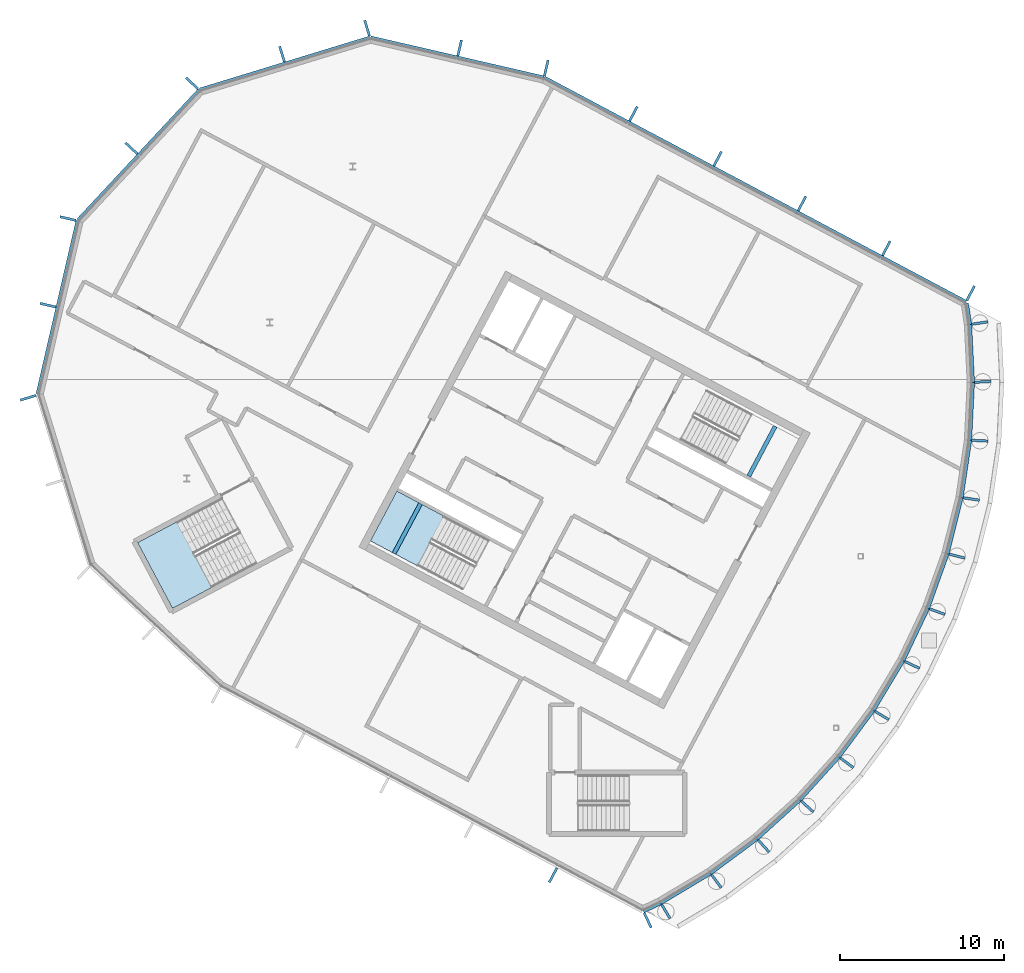
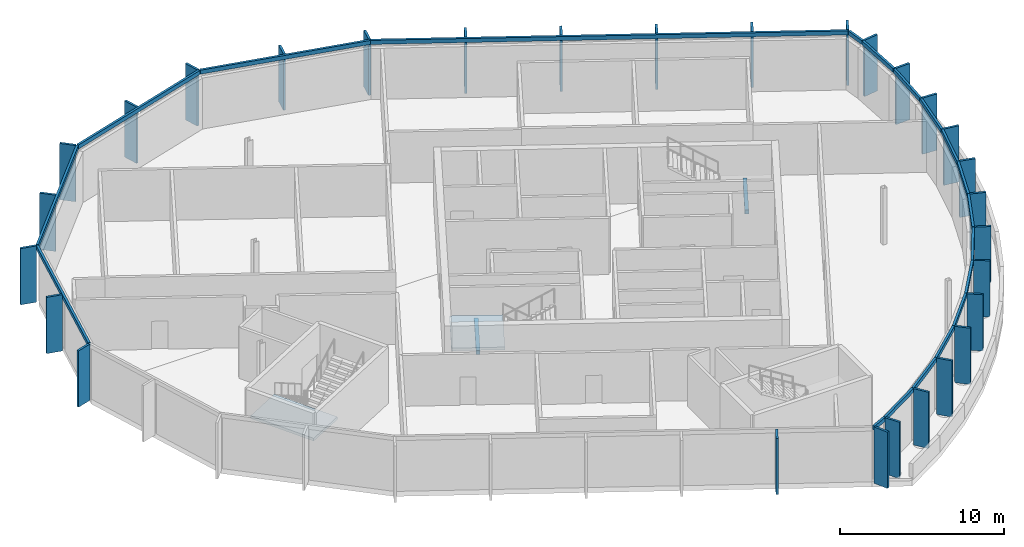
# One storey, part 4 of 12: 48 members, 2 beams, 2 slabs, 23 elements without a shape of their own.
"""IFC4 building model written with IfcOpenShell, lengths in metres."""

from ifc_helpers import new_model, si_unit, direction, frame, origin, origin_2d, place, context, subcontext, project, spatial, polyline, rectangle, outline, extrude, material, layer, layer_set, material_profile, profile_set, type_object, element, aggregate, save


model = new_model("IFC4")

# Units and contexts
model_context = context("Model", 3, precision=1e-05, world=origin(), true_north=direction((0.0, 1.0)))
body_context = subcontext(model_context, "Body", "Model", "MODEL_VIEW")
ifc_project = project(units=[si_unit("LENGTHUNIT", "METRE"), si_unit("AREAUNIT", "SQUARE_METRE"), si_unit("VOLUMEUNIT", "CUBIC_METRE"), si_unit("PLANEANGLEUNIT", "RADIAN"), si_unit("MASSUNIT", "GRAM", prefix="KILO")], contexts=[model_context])

# Site, building, storey
site_placement = place(None, origin())
site = spatial("IfcSite", under=ifc_project, at=site_placement, CompositionType="ELEMENT")
building_placement = place(site_placement, origin())
building = spatial("IfcBuilding", under=site, at=building_placement, Name="Cormorant Relay Tower", CompositionType="ELEMENT")
storey_placement = place(building_placement, frame((0.0, 0.0, 349.199951171875)))
storey = spatial("IfcBuildingStorey", under=building, at=storey_placement, Name="C6", CompositionType="ELEMENT", Elevation=349.199951171875)

# Curtain wall, member
ifc_material_1 = material(Name="Aluminium 6063-T6 anodised bronze", Category="aluminium")
ifc_layer_1 = layer(ifc_material_1, 0.199951171875)
ifc_layer_set_1 = layer_set([ifc_layer_1], Name="CW3 crown screen wall")
curtain_wall_type = type_object("IfcCurtainWallType", Name="CW3 crown screen wall", PredefinedType="NOTDEFINED", material=ifc_layer_set_1)
curtain_wall_1_placement = place(storey_placement, origin())
curtain_wall_1 = element("IfcCurtainWall", 1, at=curtain_wall_1_placement, inside=storey, type_object=curtain_wall_type, Name="CW3 curtain wall 1", PredefinedType="NOTDEFINED")
ifc_material_2 = material(Name="Aluminium 6063-T6 anodised bronze", Category="aluminium")
ifc_material_profile_1 = material_profile(ifc_material_2, rectangle(XDim=0.14990234375, YDim=1.0, at=origin_2d()), Name="AL 150x1000")
ifc_profile_set_1 = profile_set([ifc_material_profile_1], Name="Aluminium 6063-T6 anodised bronze")
member_type_1 = type_object("IfcMemberType", Name="CW3 bronze fin mullion 150 x 1000", PredefinedType="MULLION", material=ifc_profile_set_1)
member_1_placement = place(storey_placement, frame((-29.29931640625, -8.998046875, 0.0), z_axis=(0.0, 0.0, 1.0), x_axis=(0.882947592859, -0.469471562786, 0.0)))
member_1 = element("IfcMember", 2, at=member_1_placement, type_object=member_type_1, Name="CW3 fin 1.5", PredefinedType="MULLION", context=body_context, shape_type="SweptSolid", body=[
    extrude(rectangle(XDim=0.14990234375, YDim=1.0, at=origin_2d()), origin(), (0.0, 0.0, 1.0), 4.199951171875),
])
aggregate(curtain_wall_1, [member_1])

curtain_wall_2_placement = place(storey_placement, origin())
curtain_wall_2 = element("IfcCurtainWall", 3, at=curtain_wall_2_placement, inside=storey, type_object=curtain_wall_type, Name="CW3 curtain wall 2", PredefinedType="NOTDEFINED")
member_2_placement = place(storey_placement, frame((-23.51611328125, -11.75390625, 0.0), z_axis=(0.0, 0.0, 1.0), x_axis=(0.903989293123, 0.42755509343, 0.0)))
member_2 = element("IfcMember", 4, at=member_2_placement, type_object=member_type_1, Name="CW3 fin 2.1", PredefinedType="MULLION", context=body_context, shape_type="SweptSolid", body=[
    extrude(rectangle(XDim=0.14990234375, YDim=1.0, at=origin_2d()), origin(), (0.0, 0.0, 1.0), 4.199951171875),
])

curtain_wall_3_placement = place(storey_placement, origin())
curtain_wall_3 = element("IfcCurtainWall", 5, at=curtain_wall_3_placement, inside=storey, type_object=curtain_wall_type, Name="CW3 curtain wall 3", PredefinedType="NOTDEFINED")
member_3_placement = place(storey_placement, frame((-22.402587890625, -11.223388671875, 0.0), z_axis=(0.0, 0.0, 1.0), x_axis=(0.85772861, 0.514102744193, 0.0)))
member_3 = element("IfcMember", 6, at=member_3_placement, type_object=member_type_1, Name="CW3 fin 3.1", PredefinedType="MULLION", context=body_context, shape_type="SweptSolid", body=[
    extrude(rectangle(XDim=0.14990234375, YDim=1.0, at=origin_2d()), origin(), (0.0, 0.0, 1.0), 4.199951171875),
])

curtain_wall_4_placement = place(storey_placement, origin())
curtain_wall_4 = element("IfcCurtainWall", 7, at=curtain_wall_4_placement, inside=storey, type_object=curtain_wall_type, Name="CW3 curtain wall 4", PredefinedType="NOTDEFINED")
member_4_placement = place(storey_placement, frame((-19.315185546875, -9.368896484375, 0.0), z_axis=(0.0, 0.0, 1.0), x_axis=(0.803207531481, 0.595699304492, 0.0)))
member_4 = element("IfcMember", 8, at=member_4_placement, type_object=member_type_1, Name="CW3 fin 4.1", PredefinedType="MULLION", context=body_context, shape_type="SweptSolid", body=[
    extrude(rectangle(XDim=0.14990234375, YDim=1.0, at=origin_2d()), origin(), (0.0, 0.0, 1.0), 4.199951171875),
])

curtain_wall_5_placement = place(storey_placement, origin())
curtain_wall_5 = element("IfcCurtainWall", 9, at=curtain_wall_5_placement, inside=storey, type_object=curtain_wall_type, Name="CW3 curtain wall 5", PredefinedType="NOTDEFINED")
member_5_placement = place(storey_placement, frame((-16.42431640625, -7.220703125, 0.0), z_axis=(0.0, 0.0, 1.0), x_axis=(0.740951125355, 0.671558954847, 0.0)))
member_5 = element("IfcMember", 10, at=member_5_placement, type_object=member_type_1, Name="CW3 fin 5.1", PredefinedType="MULLION", context=body_context, shape_type="SweptSolid", body=[
    extrude(rectangle(XDim=0.14990234375, YDim=1.0, at=origin_2d()), origin(), (0.0, 0.0, 1.0), 4.199951171875),
])

curtain_wall_6_placement = place(storey_placement, origin())
curtain_wall_6 = element("IfcCurtainWall", 11, at=curtain_wall_6_placement, inside=storey, type_object=curtain_wall_type, Name="CW3 curtain wall 6", PredefinedType="NOTDEFINED")
member_6_placement = place(storey_placement, frame((-13.758056640625, -4.7998046875, 0.0), z_axis=(0.0, 0.0, 1.0), x_axis=(0.671558954847, 0.740951125355, 0.0)))
member_6 = element("IfcMember", 12, at=member_6_placement, type_object=member_type_1, Name="CW3 fin 6.1", PredefinedType="MULLION", context=body_context, shape_type="SweptSolid", body=[
    extrude(rectangle(XDim=0.14990234375, YDim=1.0, at=origin_2d()), origin(), (0.0, 0.0, 1.0), 4.199951171875),
])

curtain_wall_7_placement = place(storey_placement, origin())
curtain_wall_7 = element("IfcCurtainWall", 13, at=curtain_wall_7_placement, inside=storey, type_object=curtain_wall_type, Name="CW3 curtain wall 7", PredefinedType="NOTDEFINED")
member_7_placement = place(storey_placement, frame((-11.342041015625, -2.12890625, 0.0), z_axis=(0.0, 0.0, 1.0), x_axis=(0.595699304492, 0.803207531481, 0.0)))
member_7 = element("IfcMember", 14, at=member_7_placement, type_object=member_type_1, Name="CW3 fin 7.1", PredefinedType="MULLION", context=body_context, shape_type="SweptSolid", body=[
    extrude(rectangle(XDim=0.14990234375, YDim=1.0, at=origin_2d()), origin(), (0.0, 0.0, 1.0), 4.199951171875),
])

curtain_wall_8_placement = place(storey_placement, origin())
curtain_wall_8 = element("IfcCurtainWall", 15, at=curtain_wall_8_placement, inside=storey, type_object=curtain_wall_type, Name="CW3 curtain wall 8", PredefinedType="NOTDEFINED")
member_8_placement = place(storey_placement, frame((-9.19921875, 0.765869140625, 0.0), z_axis=(0.0, 0.0, 1.0), x_axis=(0.514102744193, 0.85772861, 0.0)))
member_8 = element("IfcMember", 16, at=member_8_placement, type_object=member_type_1, Name="CW3 fin 8.1", PredefinedType="MULLION", context=body_context, shape_type="SweptSolid", body=[
    extrude(rectangle(XDim=0.14990234375, YDim=1.0, at=origin_2d()), origin(), (0.0, 0.0, 1.0), 4.199951171875),
])

curtain_wall_9_placement = place(storey_placement, origin())
curtain_wall_9 = element("IfcCurtainWall", 17, at=curtain_wall_9_placement, inside=storey, type_object=curtain_wall_type, Name="CW3 curtain wall 9", PredefinedType="NOTDEFINED")
member_9_placement = place(storey_placement, frame((-7.3505859375, 3.856689453125, 0.0), z_axis=(0.0, 0.0, 1.0), x_axis=(0.42755509343, 0.903989293123, 0.0)))
member_9 = element("IfcMember", 18, at=member_9_placement, type_object=member_type_1, Name="CW3 fin 9.1", PredefinedType="MULLION", context=body_context, shape_type="SweptSolid", body=[
    extrude(rectangle(XDim=0.14990234375, YDim=1.0, at=origin_2d()), origin(), (0.0, 0.0, 1.0), 4.199951171875),
])

curtain_wall_10_placement = place(storey_placement, origin())
curtain_wall_10 = element("IfcCurtainWall", 19, at=curtain_wall_10_placement, inside=storey, type_object=curtain_wall_type, Name="CW3 curtain wall 10", PredefinedType="NOTDEFINED")
member_10_placement = place(storey_placement, frame((-5.81396484375, 7.11376953125, 0.0), z_axis=(0.0, 0.0, 1.0), x_axis=(0.336889853392, 0.941544065183, 0.0)))
member_10 = element("IfcMember", 20, at=member_10_placement, type_object=member_type_1, Name="CW3 fin 10.1", PredefinedType="MULLION", context=body_context, shape_type="SweptSolid", body=[
    extrude(rectangle(XDim=0.14990234375, YDim=1.0, at=origin_2d()), origin(), (0.0, 0.0, 1.0), 4.199951171875),
])

curtain_wall_11_placement = place(storey_placement, origin())
curtain_wall_11 = element("IfcCurtainWall", 21, at=curtain_wall_11_placement, inside=storey, type_object=curtain_wall_type, Name="CW3 curtain wall 11", PredefinedType="NOTDEFINED")
member_11_placement = place(storey_placement, frame((-4.603759765625, 10.505859375, 0.0), z_axis=(0.0, 0.0, 1.0), x_axis=(0.242980179903, 0.970031253195, 0.0)))
member_11 = element("IfcMember", 22, at=member_11_placement, type_object=member_type_1, Name="CW3 fin 11.1", PredefinedType="MULLION", context=body_context, shape_type="SweptSolid", body=[
    extrude(rectangle(XDim=0.14990234375, YDim=1.0, at=origin_2d()), origin(), (0.0, 0.0, 1.0), 4.199951171875),
])

curtain_wall_12_placement = place(storey_placement, origin())
curtain_wall_12 = element("IfcCurtainWall", 23, at=curtain_wall_12_placement, inside=storey, type_object=curtain_wall_type, Name="CW3 curtain wall 12", PredefinedType="NOTDEFINED")
member_12_placement = place(storey_placement, frame((-3.73193359375, 14.000244140625, 0.0), z_axis=(0.0, 0.0, 1.0), x_axis=(0.146730474455, 0.989176509965, 0.0)))
member_12 = element("IfcMember", 24, at=member_12_placement, type_object=member_type_1, Name="CW3 fin 12.1", PredefinedType="MULLION", context=body_context, shape_type="SweptSolid", body=[
    extrude(rectangle(XDim=0.14990234375, YDim=1.0, at=origin_2d()), origin(), (0.0, 0.0, 1.0), 4.199951171875),
])

curtain_wall_13_placement = place(storey_placement, origin())
curtain_wall_13 = element("IfcCurtainWall", 25, at=curtain_wall_13_placement, inside=storey, type_object=curtain_wall_type, Name="CW3 curtain wall 13", PredefinedType="NOTDEFINED")
member_13_placement = place(storey_placement, frame((-3.206787109375, 17.563232421875, 0.0), z_axis=(0.0, 0.0, 1.0), x_axis=(0.049067674327, 0.998795456205, 0.0)))
member_13 = element("IfcMember", 26, at=member_13_placement, type_object=member_type_1, Name="CW3 fin 13.1", PredefinedType="MULLION", context=body_context, shape_type="SweptSolid", body=[
    extrude(rectangle(XDim=0.14990234375, YDim=1.0, at=origin_2d()), origin(), (0.0, 0.0, 1.0), 4.199951171875),
])

curtain_wall_14_placement = place(storey_placement, origin())
curtain_wall_14 = element("IfcCurtainWall", 27, at=curtain_wall_14_placement, inside=storey, type_object=curtain_wall_type, Name="CW3 curtain wall 14", PredefinedType="NOTDEFINED")
member_14_placement = place(storey_placement, frame((-3.033447265625, 21.16064453125, 0.0), z_axis=(0.0, 0.0, 1.0), x_axis=(-0.049067674327, 0.998795456205, 0.0)))
member_14 = element("IfcMember", 28, at=member_14_placement, type_object=member_type_1, Name="CW3 fin 14.1", PredefinedType="MULLION", context=body_context, shape_type="SweptSolid", body=[
    extrude(rectangle(XDim=0.14990234375, YDim=1.0, at=origin_2d()), origin(), (0.0, 0.0, 1.0), 4.199951171875),
])

curtain_wall_15_placement = place(storey_placement, origin())
curtain_wall_15 = element("IfcCurtainWall", 29, at=curtain_wall_15_placement, inside=storey, type_object=curtain_wall_type, Name="CW3 curtain wall 15", PredefinedType="NOTDEFINED")
member_15_placement = place(storey_placement, frame((-3.213623046875, 24.757568359375, 0.0), z_axis=(0.0, 0.0, 1.0), x_axis=(-0.146730474455, 0.989176509965, 0.0)))
member_15 = element("IfcMember", 30, at=member_15_placement, type_object=member_type_1, Name="CW3 fin 15.1", PredefinedType="MULLION", context=body_context, shape_type="SweptSolid", body=[
    extrude(rectangle(XDim=0.14990234375, YDim=1.0, at=origin_2d()), origin(), (0.0, 0.0, 1.0), 4.199951171875),
])

# Curtain wall, members
curtain_wall_16_placement = place(storey_placement, origin())
curtain_wall_16 = element("IfcCurtainWall", 31, at=curtain_wall_16_placement, inside=storey, type_object=curtain_wall_type, Name="CW3 curtain wall 16", PredefinedType="NOTDEFINED")
member_16_placement = place(storey_placement, frame((-3.771484375, 26.58203125, 0.0), z_axis=(0.0, 0.0, 1.0), x_axis=(-0.882947592859, 0.469471562786, 0.0)))
member_16 = element("IfcMember", 32, at=member_16_placement, type_object=member_type_1, Name="CW3 fin 16.1", PredefinedType="MULLION", context=body_context, shape_type="SweptSolid", body=[
    extrude(rectangle(XDim=0.14990234375, YDim=1.0, at=origin_2d()), origin(), (0.0, 0.0, 1.0), 4.199951171875),
])
member_17_placement = place(storey_placement, frame((-8.92626953125, 29.322998046875, 0.0), z_axis=(0.0, 0.0, 1.0), x_axis=(-0.882947592859, 0.469471562786, 0.0)))
member_17 = element("IfcMember", 33, at=member_17_placement, type_object=member_type_1, Name="CW3 fin 16.2", PredefinedType="MULLION", context=body_context, shape_type="SweptSolid", body=[
    extrude(rectangle(XDim=0.14990234375, YDim=1.0, at=origin_2d()), origin(), (0.0, 0.0, 1.0), 4.199951171875),
])
member_18_placement = place(storey_placement, frame((-14.0810546875, 32.063720703125, 0.0), z_axis=(0.0, 0.0, 1.0), x_axis=(-0.882947592859, 0.469471562786, 0.0)))
member_18 = element("IfcMember", 34, at=member_18_placement, type_object=member_type_1, Name="CW3 fin 16.3", PredefinedType="MULLION", context=body_context, shape_type="SweptSolid", body=[
    extrude(rectangle(XDim=0.14990234375, YDim=1.0, at=origin_2d()), origin(), (0.0, 0.0, 1.0), 4.199951171875),
])
member_19_placement = place(storey_placement, frame((-19.235595703125, 34.8046875, 0.0), z_axis=(0.0, 0.0, 1.0), x_axis=(-0.882947592859, 0.469471562786, 0.0)))
member_19 = element("IfcMember", 35, at=member_19_placement, type_object=member_type_1, Name="CW3 fin 16.4", PredefinedType="MULLION", context=body_context, shape_type="SweptSolid", body=[
    extrude(rectangle(XDim=0.14990234375, YDim=1.0, at=origin_2d()), origin(), (0.0, 0.0, 1.0), 4.199951171875),
])
member_20_placement = place(storey_placement, frame((-24.390380859375, 37.54541015625, 0.0), z_axis=(0.0, 0.0, 1.0), x_axis=(-0.882947592859, 0.469471562786, 0.0)))
member_20 = element("IfcMember", 36, at=member_20_placement, type_object=member_type_1, Name="CW3 fin 16.5", PredefinedType="MULLION", context=body_context, shape_type="SweptSolid", body=[
    extrude(rectangle(XDim=0.14990234375, YDim=1.0, at=origin_2d()), origin(), (0.0, 0.0, 1.0), 4.199951171875),
])

curtain_wall_17_placement = place(storey_placement, origin())
curtain_wall_17 = element("IfcCurtainWall", 37, at=curtain_wall_17_placement, inside=storey, type_object=curtain_wall_type, Name="CW3 curtain wall 17", PredefinedType="NOTDEFINED")
member_21_placement = place(storey_placement, frame((-29.71630859375, 40.35009765625, 0.0), z_axis=(0.0, 0.0, 1.0), x_axis=(-0.974370064785, 0.224951054344, 0.0)))
member_21 = element("IfcMember", 38, at=member_21_placement, type_object=member_type_1, Name="CW3 fin 17.1", PredefinedType="MULLION", context=body_context, shape_type="SweptSolid", body=[
    extrude(rectangle(XDim=0.14990234375, YDim=1.0, at=origin_2d()), origin(), (0.0, 0.0, 1.0), 4.199951171875),
])
member_22_placement = place(storey_placement, frame((-35.01220703125, 41.57275390625, 0.0), z_axis=(0.0, 0.0, 1.0), x_axis=(-0.974370064785, 0.224951054344, 0.0)))
member_22 = element("IfcMember", 39, at=member_22_placement, type_object=member_type_1, Name="CW3 fin 17.2", PredefinedType="MULLION", context=body_context, shape_type="SweptSolid", body=[
    extrude(rectangle(XDim=0.14990234375, YDim=1.0, at=origin_2d()), origin(), (0.0, 0.0, 1.0), 4.199951171875),
])

curtain_wall_18_placement = place(storey_placement, origin())
curtain_wall_18 = element("IfcCurtainWall", 40, at=curtain_wall_18_placement, inside=storey, type_object=curtain_wall_type, Name="CW3 curtain wall 18", PredefinedType="NOTDEFINED")
member_23_placement = place(storey_placement, frame((-40.670166015625, 42.78271484375, 0.0), z_axis=(0.0, 0.0, 1.0), x_axis=(-0.956304755963, -0.292371704723, 0.0)))
member_23 = element("IfcMember", 41, at=member_23_placement, type_object=member_type_1, Name="CW3 fin 18.1", PredefinedType="MULLION", context=body_context, shape_type="SweptSolid", body=[
    extrude(rectangle(XDim=0.14990234375, YDim=1.0, at=origin_2d()), origin(), (0.0, 0.0, 1.0), 4.199951171875),
])
member_24_placement = place(storey_placement, frame((-45.867919921875, 41.193603515625, 0.0), z_axis=(0.0, 0.0, 1.0), x_axis=(-0.956304755963, -0.292371704723, 0.0)))
member_24 = element("IfcMember", 42, at=member_24_placement, type_object=member_type_1, Name="CW3 fin 18.2", PredefinedType="MULLION", context=body_context, shape_type="SweptSolid", body=[
    extrude(rectangle(XDim=0.14990234375, YDim=1.0, at=origin_2d()), origin(), (0.0, 0.0, 1.0), 4.199951171875),
])

curtain_wall_19_placement = place(storey_placement, origin())
curtain_wall_19 = element("IfcCurtainWall", 43, at=curtain_wall_19_placement, inside=storey, type_object=curtain_wall_type, Name="CW3 curtain wall 19", PredefinedType="NOTDEFINED")
member_25_placement = place(storey_placement, frame((-51.372802734375, 39.41259765625, 0.0), z_axis=(0.0, 0.0, 1.0), x_axis=(-0.681998360062, -0.731353701619, 0.0)))
member_25 = element("IfcMember", 44, at=member_25_placement, type_object=member_type_1, Name="CW3 fin 19.1", PredefinedType="MULLION", context=body_context, shape_type="SweptSolid", body=[
    extrude(rectangle(XDim=0.14990234375, YDim=1.0, at=origin_2d()), origin(), (0.0, 0.0, 1.0), 4.199951171875),
])
member_26_placement = place(storey_placement, frame((-55.07958984375, 35.4375, 0.0), z_axis=(0.0, 0.0, 1.0), x_axis=(-0.681998360062, -0.731353701619, 0.0)))
member_26 = element("IfcMember", 45, at=member_26_placement, type_object=member_type_1, Name="CW3 fin 19.2", PredefinedType="MULLION", context=body_context, shape_type="SweptSolid", body=[
    extrude(rectangle(XDim=0.14990234375, YDim=1.0, at=origin_2d()), origin(), (0.0, 0.0, 1.0), 4.199951171875),
])

curtain_wall_20_placement = place(storey_placement, origin())
curtain_wall_20 = element("IfcCurtainWall", 46, at=curtain_wall_20_placement, inside=storey, type_object=curtain_wall_type, Name="CW3 curtain wall 20", PredefinedType="NOTDEFINED")
member_27_placement = place(storey_placement, frame((-58.95654296875, 31.142578125, 0.0), z_axis=(0.0, 0.0, 1.0), x_axis=(-0.224951054344, -0.974370064785, 0.0)))
member_27 = element("IfcMember", 47, at=member_27_placement, type_object=member_type_1, Name="CW3 fin 20.1", PredefinedType="MULLION", context=body_context, shape_type="SweptSolid", body=[
    extrude(rectangle(XDim=0.14990234375, YDim=1.0, at=origin_2d()), origin(), (0.0, 0.0, 1.0), 4.199951171875),
])
member_28_placement = place(storey_placement, frame((-60.17919921875, 25.8466796875, 0.0), z_axis=(0.0, 0.0, 1.0), x_axis=(-0.224951054344, -0.974370064785, 0.0)))
member_28 = element("IfcMember", 48, at=member_28_placement, type_object=member_type_1, Name="CW3 fin 20.2", PredefinedType="MULLION", context=body_context, shape_type="SweptSolid", body=[
    extrude(rectangle(XDim=0.14990234375, YDim=1.0, at=origin_2d()), origin(), (0.0, 0.0, 1.0), 4.199951171875),
])

# Curtain wall, member
curtain_wall_21_placement = place(storey_placement, origin())
curtain_wall_21 = element("IfcCurtainWall", 49, at=curtain_wall_21_placement, inside=storey, type_object=curtain_wall_type, Name="CW3 curtain wall 21", PredefinedType="NOTDEFINED")
member_29_placement = place(storey_placement, frame((-61.389404296875, 20.188720703125, 0.0), z_axis=(0.0, 0.0, 1.0), x_axis=(0.292371704723, -0.956304755963, 0.0)))
member_29 = element("IfcMember", 50, at=member_29_placement, type_object=member_type_1, Name="CW3 fin 21.1", PredefinedType="MULLION", context=body_context, shape_type="SweptSolid", body=[
    extrude(rectangle(XDim=0.14990234375, YDim=1.0, at=origin_2d()), origin(), (0.0, 0.0, 1.0), 4.199951171875),
])
aggregate(curtain_wall_21, [member_29])

# Member
ifc_material_3 = material(Name="Aluminium 6063-T6 anodised bronze", Category="aluminium")
ifc_material_profile_2 = material_profile(ifc_material_3, rectangle(XDim=0.159912109375, YDim=0.300048828125, at=origin_2d()), Name="AL 160x300")
ifc_profile_set_2 = profile_set([ifc_material_profile_2], Name="Aluminium 6063-T6 anodised bronze")
member_type_2 = type_object("IfcMemberType", Name="CW3 bronze transom 160 x 300", PredefinedType="USERDEFINED", material=ifc_profile_set_2)
member_30_placement = place(storey_placement, frame((-23.76416015625, -11.2294921875, 4.050048828125), z_axis=(0.90398095534, 0.427572721747, 0.0), x_axis=(-0.427572721747, 0.90398095534, 0.0)))
member_30 = element("IfcMember", 51, at=member_30_placement, type_object=member_type_2, Name="CW3 transom 2", ObjectType="TRANSOM", PredefinedType="USERDEFINED", context=body_context, shape_type="SweptSolid", body=[
    extrude(rectangle(XDim=0.159912109375, YDim=0.300048828125, at=origin_2d()), origin(), (0.0, 0.0, 1.0), 1.164794921875),
])

aggregate(curtain_wall_2, [member_2, member_30])

member_31_placement = place(storey_placement, frame((-22.70068359375, -10.725830078125, 4.050048828125), z_axis=(0.857742825351, 0.51407902657, 0.0), x_axis=(-0.51407902657, 0.857742825351, 0.0)))
member_31 = element("IfcMember", 52, at=member_31_placement, type_object=member_type_2, Name="CW3 transom 3", ObjectType="TRANSOM", PredefinedType="USERDEFINED", context=body_context, shape_type="SweptSolid", body=[
    extrude(rectangle(XDim=0.159912109375, YDim=0.300048828125, at=origin_2d()), origin(), (0.0, 0.0, 1.0), 3.532958984375),
])

aggregate(curtain_wall_3, [member_3, member_31])

member_32_placement = place(storey_placement, frame((-19.66064453125, -8.903076171875, 4.050048828125), z_axis=(0.803214286579, 0.595690196189, 0.0), x_axis=(-0.595690196189, 0.803214286579, 0.0)))
member_32 = element("IfcMember", 53, at=member_32_placement, type_object=member_type_2, Name="CW3 transom 4", ObjectType="TRANSOM", PredefinedType="USERDEFINED", context=body_context, shape_type="SweptSolid", body=[
    extrude(rectangle(XDim=0.159912109375, YDim=0.300048828125, at=origin_2d()), origin(), (0.0, 0.0, 1.0), 3.532958984375),
])

aggregate(curtain_wall_4, [member_4, member_32])

member_33_placement = place(storey_placement, frame((-16.81396484375, -6.791015625, 4.050048828125), z_axis=(0.74094611685, 0.671564480839, 0.0), x_axis=(-0.671564480839, 0.74094611685, 0.0)))
member_33 = element("IfcMember", 54, at=member_33_placement, type_object=member_type_2, Name="CW3 transom 5", ObjectType="TRANSOM", PredefinedType="USERDEFINED", context=body_context, shape_type="SweptSolid", body=[
    extrude(rectangle(XDim=0.159912109375, YDim=0.300048828125, at=origin_2d()), origin(), (0.0, 0.0, 1.0), 3.532958984375),
])

aggregate(curtain_wall_5, [member_5, member_33])

member_34_placement = place(storey_placement, frame((-14.18798828125, -4.41015625, 4.050048828125), z_axis=(0.671564480839, 0.74094611685, 0.0), x_axis=(-0.74094611685, 0.671564480839, 0.0)))
member_34 = element("IfcMember", 55, at=member_34_placement, type_object=member_type_2, Name="CW3 transom 6", ObjectType="TRANSOM", PredefinedType="USERDEFINED", context=body_context, shape_type="SweptSolid", body=[
    extrude(rectangle(XDim=0.159912109375, YDim=0.300048828125, at=origin_2d()), origin(), (0.0, 0.0, 1.0), 3.532958984375),
])

aggregate(curtain_wall_6, [member_6, member_34])

member_35_placement = place(storey_placement, frame((-11.807861328125, -1.783447265625, 4.050048828125), z_axis=(0.595690196189, 0.803214286579, 0.0), x_axis=(-0.803214286579, 0.595690196189, 0.0)))
member_35 = element("IfcMember", 56, at=member_35_placement, type_object=member_type_2, Name="CW3 transom 7", ObjectType="TRANSOM", PredefinedType="USERDEFINED", context=body_context, shape_type="SweptSolid", body=[
    extrude(rectangle(XDim=0.159912109375, YDim=0.300048828125, at=origin_2d()), origin(), (0.0, 0.0, 1.0), 3.532958984375),
])

aggregate(curtain_wall_7, [member_7, member_35])

member_36_placement = place(storey_placement, frame((-9.69677734375, 1.06396484375, 4.050048828125), z_axis=(0.51407902657, 0.857742825351, 0.0), x_axis=(-0.857742825351, 0.51407902657, 0.0)))
member_36 = element("IfcMember", 57, at=member_36_placement, type_object=member_type_2, Name="CW3 transom 8", ObjectType="TRANSOM", PredefinedType="USERDEFINED", context=body_context, shape_type="SweptSolid", body=[
    extrude(rectangle(XDim=0.159912109375, YDim=0.300048828125, at=origin_2d()), origin(), (0.0, 0.0, 1.0), 3.532958984375),
])

aggregate(curtain_wall_8, [member_8, member_36])

member_37_placement = place(storey_placement, frame((-7.875, 4.1044921875, 4.050048828125), z_axis=(0.42753672931, 0.903997978477, 0.0), x_axis=(-0.903997978477, 0.42753672931, 0.0)))
member_37 = element("IfcMember", 58, at=member_37_placement, type_object=member_type_2, Name="CW3 transom 9", ObjectType="TRANSOM", PredefinedType="USERDEFINED", context=body_context, shape_type="SweptSolid", body=[
    extrude(rectangle(XDim=0.159912109375, YDim=0.300048828125, at=origin_2d()), origin(), (0.0, 0.0, 1.0), 3.532958984375),
])

aggregate(curtain_wall_9, [member_9, member_37])

member_38_placement = place(storey_placement, frame((-6.360107421875, 7.30908203125, 4.050048828125), z_axis=(0.336883546352, 0.941546321854, 0.0), x_axis=(-0.941546321854, 0.336883546352, 0.0)))
member_38 = element("IfcMember", 59, at=member_38_placement, type_object=member_type_2, Name="CW3 transom 10", ObjectType="TRANSOM", PredefinedType="USERDEFINED", context=body_context, shape_type="SweptSolid", body=[
    extrude(rectangle(XDim=0.159912109375, YDim=0.300048828125, at=origin_2d()), origin(), (0.0, 0.0, 1.0), 3.532958984375),
])

aggregate(curtain_wall_10, [member_10, member_38])

member_39_placement = place(storey_placement, frame((-5.16650390625, 10.646728515625, 4.050048828125), z_axis=(0.242974622809, 0.970032645157, 0.0), x_axis=(-0.970032645157, 0.242974622809, 0.0)))
member_39 = element("IfcMember", 60, at=member_39_placement, type_object=member_type_2, Name="CW3 transom 11", ObjectType="TRANSOM", PredefinedType="USERDEFINED", context=body_context, shape_type="SweptSolid", body=[
    extrude(rectangle(XDim=0.159912109375, YDim=0.300048828125, at=origin_2d()), origin(), (0.0, 0.0, 1.0), 3.532958984375),
])

aggregate(curtain_wall_11, [member_11, member_39])

member_40_placement = place(storey_placement, frame((-4.3056640625, 14.08544921875, 4.050048828125), z_axis=(0.146711451783, 0.989179331525, 0.0), x_axis=(-0.989179331525, 0.146711451783, 0.0)))
member_40 = element("IfcMember", 61, at=member_40_placement, type_object=member_type_2, Name="CW3 transom 12", ObjectType="TRANSOM", PredefinedType="USERDEFINED", context=body_context, shape_type="SweptSolid", body=[
    extrude(rectangle(XDim=0.159912109375, YDim=0.300048828125, at=origin_2d()), origin(), (0.0, 0.0, 1.0), 3.532958984375),
])

aggregate(curtain_wall_12, [member_12, member_40])

member_41_placement = place(storey_placement, frame((-3.7861328125, 17.591796875, 4.050048828125), z_axis=(0.049065581326, 0.998795559026, 0.0), x_axis=(-0.998795559026, 0.049065581326, 0.0)))
member_41 = element("IfcMember", 62, at=member_41_placement, type_object=member_type_2, Name="CW3 transom 13", ObjectType="TRANSOM", PredefinedType="USERDEFINED", context=body_context, shape_type="SweptSolid", body=[
    extrude(rectangle(XDim=0.159912109375, YDim=0.300048828125, at=origin_2d()), origin(), (0.0, 0.0, 1.0), 3.53271484375),
])

aggregate(curtain_wall_13, [member_13, member_41])

member_42_placement = place(storey_placement, frame((-3.61279296875, 21.132080078125, 4.050048828125), z_axis=(-0.049065581326, 0.998795559026, 0.0), x_axis=(-0.998795559026, -0.049065581326, 0.0)))
member_42 = element("IfcMember", 63, at=member_42_placement, type_object=member_type_2, Name="CW3 transom 14", ObjectType="TRANSOM", PredefinedType="USERDEFINED", context=body_context, shape_type="SweptSolid", body=[
    extrude(rectangle(XDim=0.159912109375, YDim=0.300048828125, at=origin_2d()), origin(), (0.0, 0.0, 1.0), 3.53271484375),
])

aggregate(curtain_wall_14, [member_14, member_42])

member_43_placement = place(storey_placement, frame((-3.787353515625, 24.67236328125, 4.050048828125), z_axis=(-0.146635561173, 0.989190584367, 0.0), x_axis=(-0.989190584367, -0.146635561173, 0.0)))
member_43 = element("IfcMember", 64, at=member_43_placement, type_object=member_type_2, Name="CW3 transom 15", ObjectType="TRANSOM", PredefinedType="USERDEFINED", context=body_context, shape_type="SweptSolid", body=[
    extrude(rectangle(XDim=0.159912109375, YDim=0.300048828125, at=origin_2d()), origin(), (0.0, 0.0, 1.0), 1.32373046875),
])

aggregate(curtain_wall_15, [member_15, member_43])

member_44_placement = place(storey_placement, frame((-4.0439453125, 26.070068359375, 4.050048828125), z_axis=(-0.882945863828, 0.469474814606, 0.0), x_axis=(-0.469474814606, -0.882945863828, 0.0)))
member_44 = element("IfcMember", 65, at=member_44_placement, type_object=member_type_2, Name="CW3 transom 16", ObjectType="TRANSOM", PredefinedType="USERDEFINED", context=body_context, shape_type="SweptSolid", body=[
    extrude(rectangle(XDim=0.159912109375, YDim=0.300048828125, at=origin_2d()), origin(), (0.0, 0.0, 1.0), 29.190185546875),
])

aggregate(curtain_wall_16, [member_16, member_17, member_18, member_19, member_20, member_44])

member_45_placement = place(storey_placement, frame((-29.8466796875, 39.784912109375, 4.050048828125), z_axis=(-0.974365070969, 0.224972683844, 0.0), x_axis=(-0.224972683844, -0.974365070969, 0.0)))
member_45 = element("IfcMember", 66, at=member_45_placement, type_object=member_type_2, Name="CW3 transom 17", ObjectType="TRANSOM", PredefinedType="USERDEFINED", context=body_context, shape_type="SweptSolid", body=[
    extrude(rectangle(XDim=0.159912109375, YDim=0.300048828125, at=origin_2d()), origin(), (0.0, 0.0, 1.0), 10.870361328125),
])

aggregate(curtain_wall_17, [member_21, member_22, member_45])

member_46_placement = place(storey_placement, frame((-40.50048828125, 42.228271484375, 4.050048828125), z_axis=(-0.956304833932, -0.292371449698, 0.0), x_axis=(0.292371449698, -0.956304833932, 0.0)))
member_46 = element("IfcMember", 67, at=member_46_placement, type_object=member_type_2, Name="CW3 transom 18", ObjectType="TRANSOM", PredefinedType="USERDEFINED", context=body_context, shape_type="SweptSolid", body=[
    extrude(rectangle(XDim=0.159912109375, YDim=0.300048828125, at=origin_2d()), origin(), (0.0, 0.0, 1.0), 10.87060546875),
])

aggregate(curtain_wall_18, [member_23, member_24, member_46])

member_47_placement = place(storey_placement, frame((-50.94873046875, 39.01708984375, 4.050048828125), z_axis=(-0.681993299437, -0.731358420696, 0.0), x_axis=(0.731358420696, -0.681993299437, 0.0)))
member_47 = element("IfcMember", 68, at=member_47_placement, type_object=member_type_2, Name="CW3 transom 19", ObjectType="TRANSOM", PredefinedType="USERDEFINED", context=body_context, shape_type="SweptSolid", body=[
    extrude(rectangle(XDim=0.159912109375, YDim=0.300048828125, at=origin_2d()), origin(), (0.0, 0.0, 1.0), 10.870361328125),
])

aggregate(curtain_wall_19, [member_25, member_26, member_47])

member_48_placement = place(storey_placement, frame((-58.3916015625, 31.01220703125, 4.050048828125), z_axis=(-0.22495136131, -0.974369993916, 0.0), x_axis=(0.974369993916, -0.22495136131, 0.0)))
member_48 = element("IfcMember", 69, at=member_48_placement, type_object=member_type_2, Name="CW3 transom 20", ObjectType="TRANSOM", PredefinedType="USERDEFINED", context=body_context, shape_type="SweptSolid", body=[
    extrude(rectangle(XDim=0.159912109375, YDim=0.300048828125, at=origin_2d()), origin(), (0.0, 0.0, 1.0), 10.870361328125),
])

aggregate(curtain_wall_20, [member_27, member_28, member_48])

# Beams
ifc_material_4 = material(Name="Concrete 50 MPa", Category="concrete")
ifc_material_profile_3 = material_profile(ifc_material_4, rectangle(XDim=0.25, YDim=0.300048828125, at=origin_2d()), Name="RC 250x300")
ifc_profile_set_3 = profile_set([ifc_material_profile_3], Name="Concrete 50 MPa")
beam_type = type_object("IfcBeamType", Name="Stair landing ledge beam 250x300", PredefinedType="BEAM", material=ifc_profile_set_3)
for number, where, z_axis, x_axis, name in (
    (70, (-17.338623046875, 15.3916015625, 1.75), (0.469463917486, 0.882951657895, 0.0), (-0.882951657895, 0.469463917486, 0.0), "A1 landing ledge beam"),
    (71, (-37.404052734375, 13.715576171875, 1.75), (-0.469463917486, -0.882951657895, 0.0), (0.882951657895, -0.469463917486, 0.0), "A2 landing ledge beam"),
):
    element("IfcBeam", number, at=place(storey_placement, frame(where, z_axis=z_axis, x_axis=x_axis)), inside=storey, type_object=beam_type, Name=name, PredefinedType="BEAM", context=body_context, shape_type="SweptSolid", body=[
        extrude(rectangle(XDim=0.25, YDim=0.300048828125, at=origin_2d()), origin(), (0.0, 0.0, 1.0), 3.449951171875),
    ])

# Stair, slab
ifc_material_5 = material(Name="Concrete 40 MPa", Category="concrete")
stair_type_1 = type_object("IfcStairType", Name="Exit stair 1500", PredefinedType="HALF_TURN_STAIR", material=ifc_material_5)
stair_1_placement = place(storey_placement, origin())
stair_1 = element("IfcStair", 72, at=stair_1_placement, inside=storey, type_object=stair_type_1, Name="C6 Stair", PredefinedType="HALF_TURN_STAIR")
ifc_material_6 = material(Name="Concrete 40 MPa", Category="concrete")
ifc_layer_2 = layer(ifc_material_6, 0.199951171875)
ifc_layer_set_2 = layer_set([ifc_layer_2], Name="Exit stair landing 200")
slab_type = type_object("IfcSlabType", Name="Exit stair landing 200", PredefinedType="LANDING", material=ifc_layer_set_2)
slab_1_placement = place(storey_placement, frame((0.0, 0.0, 1.900146484375)))
slab_1 = element("IfcSlab", 73, at=slab_1_placement, type_object=slab_type, Name="A2 landing 1", PredefinedType="LANDING", context=body_context, shape_type="SweptSolid", body=[
    extrude(outline(polyline([(-35.96044921875, 12.947998046875), (-38.84765625, 14.483154296875), (-40.467529296875, 11.43701171875), (-37.580322265625, 9.90185546875), (-35.96044921875, 12.947998046875)])), origin(), (0.0, 0.0, 1.0), 0.199951171875),
])
aggregate(stair_1, [slab_1])

ifc_material_7 = material(Name="Concrete 40 MPa", Category="concrete")
stair_type_2 = type_object("IfcStairType", Name="Remote exit stair 2200", PredefinedType="HALF_TURN_STAIR", material=ifc_material_7)
stair_2_placement = place(storey_placement, origin())
stair_2 = element("IfcStair", 74, at=stair_2_placement, inside=storey, type_object=stair_type_2, Name="C6 Stair", PredefinedType="HALF_TURN_STAIR")
slab_2_placement = place(storey_placement, frame((0.0, 0.0, 1.900146484375)))
slab_2 = element("IfcSlab", 75, at=slab_2_placement, type_object=slab_type, Name="RP1 landing 1", PredefinedType="LANDING", context=body_context, shape_type="SweptSolid", body=[
    extrude(outline(polyline([(-52.29833984375, 12.607666015625), (-54.699951171875, 11.330810546875), (-52.563720703125, 7.3134765625), (-50.162109375, 8.59033203125), (-52.29833984375, 12.607666015625)])), origin(), (0.0, 0.0, 1.0), 0.199951171875),
])
aggregate(stair_2, [slab_2])

save(model, "model.ifc")
